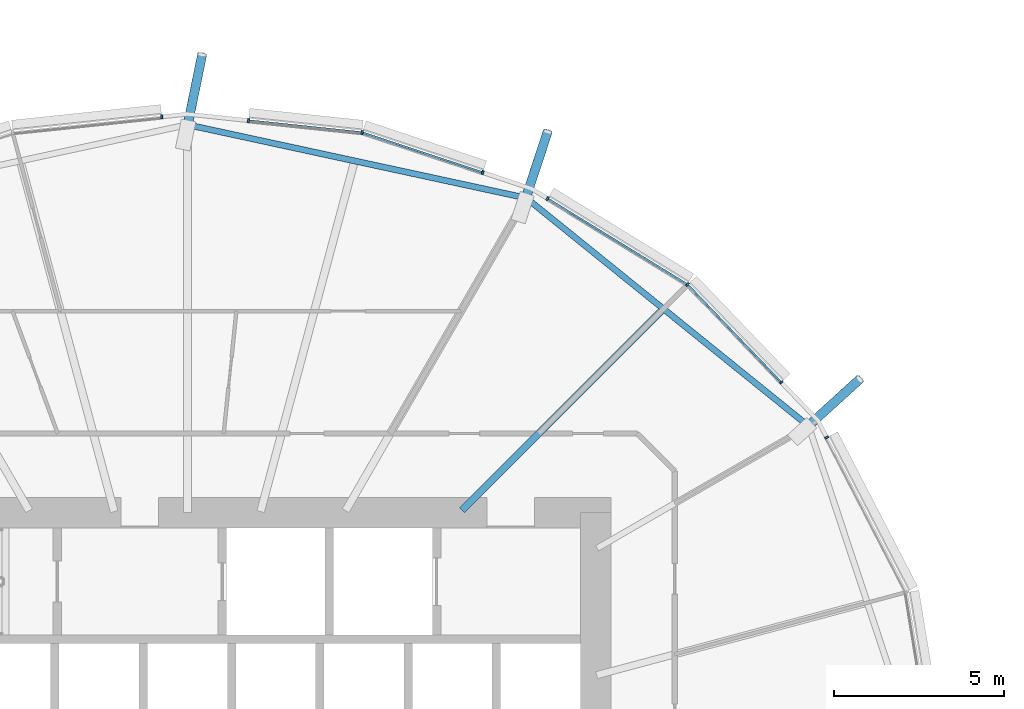
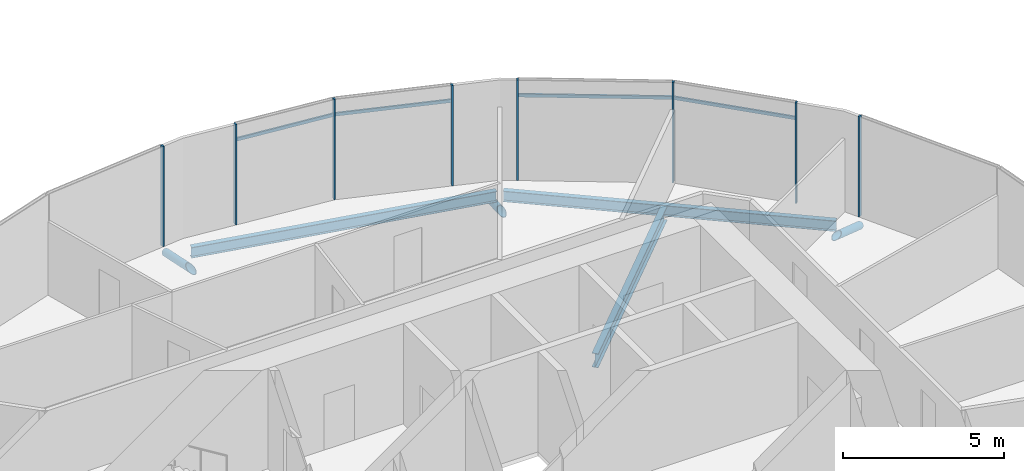
# One storey, part 11 of 36: 15 members, 3 beams, 1 element without a shape of its own.
"""IFC4 building model written with IfcOpenShell, lengths in metres."""

from ifc_helpers import new_model, si_unit, direction, frame, origin, origin_2d, place, context, subcontext, project, spatial, rectangle, hollow_circle, i_section, extrude, clip, halfspace, material, material_profile, profile_set, type_object, element, aggregate, save


model = new_model("IFC4")

# Units and contexts
model_context = context("Model", 3, precision=1e-05, world=origin(), true_north=direction((0.0, 1.0)))
body_context = subcontext(model_context, "Body", "Model", "MODEL_VIEW")
ifc_project = project(units=[si_unit("LENGTHUNIT", "METRE"), si_unit("AREAUNIT", "SQUARE_METRE"), si_unit("VOLUMEUNIT", "CUBIC_METRE"), si_unit("PLANEANGLEUNIT", "RADIAN"), si_unit("MASSUNIT", "GRAM", prefix="KILO")], contexts=[model_context])

# Site, building, storey
site_placement = place(None, origin())
site = spatial("IfcSite", under=ifc_project, at=site_placement, CompositionType="ELEMENT")
building_placement = place(site_placement, origin())
building = spatial("IfcBuilding", under=site, at=building_placement, Name="Rimbun Link Towers", CompositionType="ELEMENT")
storey_placement = place(building_placement, frame((0.0, 0.0, 33.800048828125)))
storey = spatial("IfcBuildingStorey", under=building, at=storey_placement, Name="L07", CompositionType="ELEMENT", Elevation=33.800048828125)

# Curtain wall, members
ifc_material_1 = material(Name="Aluminium 6063-T6 and low-iron glass", Category="aluminium")
curtain_wall_type = type_object("IfcCurtainWallType", Name="CW1 unitised vision wall", PredefinedType="NOTDEFINED", material=ifc_material_1)
curtain_wall_placement = place(storey_placement, origin())
curtain_wall = element("IfcCurtainWall", 1, at=curtain_wall_placement, inside=storey, type_object=curtain_wall_type, Name="CW1 L07 T1", PredefinedType="NOTDEFINED")
ifc_material_2 = material(Name="Aluminium 6063-T6", Category="aluminium")
ifc_material_profile_1 = material_profile(ifc_material_2, rectangle(XDim=0.1201171875, YDim=0.06005859375, at=origin_2d()), Name="MULLION 60X120")
ifc_profile_set_1 = profile_set([ifc_material_profile_1], Name="Aluminium 6063-T6")
member_type_1 = type_object("IfcMemberType", Name="CW1 mullion 60X120", PredefinedType="MULLION", material=ifc_profile_set_1)
member_1_placement = place(storey_placement, frame((-12.959228515625, 10.211181640625, 0.0), z_axis=(0.0, 0.0, 1.0), x_axis=(0.888152693678, 0.459548466118, 0.0)))
member_1 = element("IfcMember", 2, at=member_1_placement, type_object=member_type_1, Name="CW1 mullion", PredefinedType="MULLION", context=body_context, shape_type="SweptSolid", body=[
    extrude(rectangle(XDim=0.1201171875, YDim=0.06005859375, at=origin_2d()), origin(), (0.0, 0.0, 1.0), 3.800048828125),
])
member_2_placement = place(storey_placement, frame((-17.051513671875, 14.70751953125, 0.0), z_axis=(0.0, 0.0, 1.0), x_axis=(0.627666129139, 0.778482646134, 0.0)))
member_2 = element("IfcMember", 3, at=member_2_placement, type_object=member_type_1, Name="CW1 mullion", PredefinedType="MULLION", context=body_context, shape_type="SweptSolid", body=[
    extrude(rectangle(XDim=0.1201171875, YDim=0.06005859375, at=origin_2d()), origin(), (0.0, 0.0, 1.0), 3.800048828125),
])
member_3_placement = place(storey_placement, frame((-14.294677734375, 11.83251953125, 0.0), z_axis=(0.0, 0.0, 1.0), x_axis=(0.721844292424, 0.692055501744, 0.0)))
member_3 = element("IfcMember", 4, at=member_3_placement, type_object=member_type_1, Name="CW1 mullion", PredefinedType="MULLION", context=body_context, shape_type="SweptSolid", body=[
    extrude(rectangle(XDim=0.1201171875, YDim=0.06005859375, at=origin_2d()), origin(), (0.0, 0.0, 1.0), 3.800048828125),
])
member_4_placement = place(storey_placement, frame((-21.163818359375, 17.23291015625, 0.0), z_axis=(0.0, 0.0, 1.0), x_axis=(0.523232417417, 0.85219002421, 0.0)))
member_4 = element("IfcMember", 5, at=member_4_placement, type_object=member_type_1, Name="CW1 mullion", PredefinedType="MULLION", context=body_context, shape_type="SweptSolid", body=[
    extrude(rectangle(XDim=0.1201171875, YDim=0.06005859375, at=origin_2d()), origin(), (0.0, 0.0, 1.0), 3.800048828125),
])
member_5_placement = place(storey_placement, frame((-26.615478515625, 19.17333984375, 0.0), z_axis=(0.0, 0.0, 1.0), x_axis=(0.210876994137, 0.97751260521, 0.0)))
member_5 = element("IfcMember", 6, at=member_5_placement, type_object=member_type_1, Name="CW1 mullion", PredefinedType="MULLION", context=body_context, shape_type="SweptSolid", body=[
    extrude(rectangle(XDim=0.1201171875, YDim=0.06005859375, at=origin_2d()), origin(), (0.0, 0.0, 1.0), 3.800048828125),
])
member_6_placement = place(storey_placement, frame((-23.06884765625, 17.998291015625, 0.0), z_axis=(0.0, 0.0, 1.0), x_axis=(0.314563730837, 0.949236355837, 0.0)))
member_6 = element("IfcMember", 7, at=member_6_placement, type_object=member_type_1, Name="CW1 mullion", PredefinedType="MULLION", context=body_context, shape_type="SweptSolid", body=[
    extrude(rectangle(XDim=0.1201171875, YDim=0.06005859375, at=origin_2d()), origin(), (0.0, 0.0, 1.0), 3.800048828125),
])
member_7_placement = place(storey_placement, frame((-29.95361328125, 19.525390625, 0.0), z_axis=(0.0, 0.0, 1.0), x_axis=(0.104754525743, 0.994498109267, 0.0)))
member_7 = element("IfcMember", 8, at=member_7_placement, type_object=member_type_1, Name="CW1 mullion", PredefinedType="MULLION", context=body_context, shape_type="SweptSolid", body=[
    extrude(rectangle(XDim=0.1201171875, YDim=0.06005859375, at=origin_2d()), origin(), (0.0, 0.0, 1.0), 3.800048828125),
])
member_8_placement = place(storey_placement, frame((-32.502197265625, 19.63525390625, 0.0), z_axis=(0.0, 0.0, 1.0), x_axis=(-0.104754525743, 0.994498109267, 0.0)))
member_8 = element("IfcMember", 9, at=member_8_placement, type_object=member_type_1, Name="CW1 mullion", PredefinedType="MULLION", context=body_context, shape_type="SweptSolid", body=[
    extrude(rectangle(XDim=0.1201171875, YDim=0.06005859375, at=origin_2d()), origin(), (0.0, 0.0, 1.0), 3.800048828125),
])
ifc_material_3 = material(Name="Aluminium 6063-T6", Category="aluminium")
ifc_material_profile_2 = material_profile(ifc_material_3, rectangle(XDim=0.06005859375, YDim=0.1201171875, at=origin_2d()), Name="TRANSOM 60X120")
ifc_profile_set_2 = profile_set([ifc_material_profile_2], Name="Aluminium 6063-T6")
member_type_2 = type_object("IfcMemberType", Name="CW1 transom 60X120", PredefinedType="USERDEFINED", material=ifc_profile_set_2)
member_9_placement = place(storey_placement, frame((-17.026611328125, 14.67919921875, 3.199951171875), z_axis=(0.692047546787, -0.721851919015, 0.0), x_axis=(0.721851919015, 0.692047546787, 0.0)))
member_9 = element("IfcMember", 10, at=member_9_placement, type_object=member_type_2, Name="CW1 transom", ObjectType="TRANSOM", PredefinedType="USERDEFINED", context=body_context, shape_type="SweptSolid", body=[
    extrude(rectangle(XDim=0.06005859375, YDim=0.1201171875, at=origin_2d()), origin(), (0.0, 0.0, 1.0), 3.91552734375),
])
member_10_placement = place(storey_placement, frame((-21.139404296875, 17.215576171875, 3.199951171875), z_axis=(0.85218286568, -0.523244076356, 0.0), x_axis=(0.523244076356, 0.85218286568, 0.0)))
member_10 = element("IfcMember", 11, at=member_10_placement, type_object=member_type_2, Name="CW1 transom", ObjectType="TRANSOM", PredefinedType="USERDEFINED", context=body_context, shape_type="SweptSolid", body=[
    extrude(rectangle(XDim=0.06005859375, YDim=0.1201171875, at=origin_2d()), origin(), (0.0, 0.0, 1.0), 4.75830078125),
])
member_11_placement = place(storey_placement, frame((-26.58154296875, 19.160400390625, 3.199951171875), z_axis=(0.949227381323, -0.314590811288, 0.0), x_axis=(0.314590811288, 0.949227381323, 0.0)))
member_11 = element("IfcMember", 12, at=member_11_placement, type_object=member_type_2, Name="CW1 transom", ObjectType="TRANSOM", PredefinedType="USERDEFINED", context=body_context, shape_type="SweptSolid", body=[
    extrude(rectangle(XDim=0.06005859375, YDim=0.1201171875, at=origin_2d()), origin(), (0.0, 0.0, 1.0), 3.669921875),
])
member_12_placement = place(storey_placement, frame((-29.924072265625, 19.520263671875, 3.199951171875), z_axis=(0.994496504688, -0.104769757862, 0.0), x_axis=(0.104769757862, 0.994496504688, 0.0)))
member_12 = element("IfcMember", 13, at=member_12_placement, type_object=member_type_2, Name="CW1 transom", ObjectType="TRANSOM", PredefinedType="USERDEFINED", context=body_context, shape_type="SweptSolid", body=[
    extrude(rectangle(XDim=0.06005859375, YDim=0.1201171875, at=origin_2d()), origin(), (0.0, 0.0, 1.0), 3.290283203125),
])
aggregate(curtain_wall, [member_1, member_2, member_3, member_4, member_5, member_6, member_7, member_8, member_9, member_10, member_11, member_12])

# Members
ifc_material_4 = material(Name="Steel S355J2H", Category="steel")
ifc_material_profile_3 = material_profile(ifc_material_4, hollow_circle(Radius=0.136474609375, WallThickness=0.012451171875, at=origin_2d()), Name="CHS 273x12.5")
ifc_profile_set_3 = profile_set([ifc_material_profile_3], Name="Steel S355J2H")
member_type_3 = type_object("IfcMemberType", Name="Floor edge link CHS 273x12.5", PredefinedType="BRACE", material=ifc_profile_set_3)
member_13_placement = place(storey_placement, frame((-13.531494140625, 10.5185546875, -0.68798828125), z_axis=(0.660195703529, 0.601747375649, -0.449490521527), x_axis=(-0.673634179284, 0.739064944711, 0.0)))
element("IfcMember", 14, at=member_13_placement, inside=storey, type_object=member_type_3, Name="Floor edge link T1 L07 02", PredefinedType="BRACE", context=body_context, shape_type="Clipping", body=[
    clip(extrude(hollow_circle(Radius=0.136474609375, WallThickness=0.012451171875, at=origin_2d()), frame((0.0, 0.0, -0.56494140625)), (0.0, 0.0, 1.0), 2.912353515625), halfspace(frame((0.0, 0.0, -0.265869140625), z_axis=(0.0, 0.893285100658, -0.449490521527)), False)),
])
member_14_placement = place(storey_placement, frame((-21.816650390625, 17.205078125, -0.88818359375), z_axis=(0.287962333426, 0.875503541487, -0.388035105849), x_axis=(-0.949936176822, 0.312444010928, 0.0)))
element("IfcMember", 15, at=member_14_placement, inside=storey, type_object=member_type_3, Name="Floor edge link T1 L07 04", PredefinedType="BRACE", context=body_context, shape_type="Clipping", body=[
    clip(extrude(hollow_circle(Radius=0.136474609375, WallThickness=0.012451171875, at=origin_2d()), frame((0.0, 0.0, -0.674072265625)), (0.0, 0.0, 1.0), 2.96484375), halfspace(frame((0.0, 0.0, -0.318359375), z_axis=(0.0, 0.921644593446, -0.388035105849)), False)),
])
member_15_placement = place(storey_placement, frame((-31.75, 19.352783203125, -0.888427734375), z_axis=(0.185831038689, 0.904988825185, -0.382703607704), x_axis=(-0.979561706575, 0.201143886341, 0.0)))
element("IfcMember", 16, at=member_15_placement, inside=storey, type_object=member_type_3, Name="Floor edge link T1 L07 06", PredefinedType="BRACE", context=body_context, shape_type="Clipping", body=[
    clip(extrude(hollow_circle(Radius=0.136474609375, WallThickness=0.012451171875, at=origin_2d()), frame((0.0, 0.0, -0.685302734375)), (0.0, 0.0, 1.0), 3.029052734375), halfspace(frame((0.0, 0.0, -0.323486328125), z_axis=(0.0, 0.923871175354, -0.382703607704)), False)),
])

# Beams
ifc_material_5 = material(Name="Steel S355J2", Category="steel")
ifc_material_profile_4 = material_profile(ifc_material_5, i_section(OverallWidth=0.177978515625, OverallDepth=0.406494140625, WebThickness=0.0078125, FlangeThickness=0.0126953125, at=origin_2d()), Name="UB 406x178x60")
ifc_profile_set_4 = profile_set([ifc_material_profile_4], Name="Steel S355J2")
beam_type_1 = type_object("IfcBeamType", Name="UB 406x178x60", PredefinedType="BEAM", material=ifc_profile_set_4)
beam_1_placement = place(storey_placement, frame((-13.56298828125, 10.60400390625, -0.36328125), z_axis=(-0.778016648359, 0.628243658843, 0.0), x_axis=(-0.628243658843, -0.778016648359, 0.0)))
element("IfcBeam", 17, at=beam_1_placement, inside=storey, type_object=beam_type_1, Name="Edge beam T1 L07 02-04", PredefinedType="BEAM", context=body_context, shape_type="SweptSolid", body=[
    extrude(i_section(OverallWidth=0.177978515625, OverallDepth=0.406494140625, WebThickness=0.0078125, FlangeThickness=0.0126953125, at=origin_2d()), origin(), (0.0, 0.0, 1.0), 10.460205078125),
])
beam_2_placement = place(storey_placement, frame((-21.9091796875, 17.27392578125, -0.36328125), z_axis=(-0.977391971445, 0.211435413673, 0.0), x_axis=(-0.211435413673, -0.977391971445, 0.0)))
element("IfcBeam", 18, at=beam_2_placement, inside=storey, type_object=beam_type_1, Name="Edge beam T1 L07 04-06", PredefinedType="BEAM", context=body_context, shape_type="SweptSolid", body=[
    extrude(i_section(OverallWidth=0.177978515625, OverallDepth=0.406494140625, WebThickness=0.0078125, FlangeThickness=0.0126953125, at=origin_2d()), origin(), (0.0, 0.0, 1.0), 9.950927734375),
])
ifc_material_6 = material(Name="Steel S355J2", Category="steel")
ifc_material_profile_5 = material_profile(ifc_material_6, i_section(OverallWidth=0.209228515625, OverallDepth=0.533203125, WebThickness=0.010009765625, FlangeThickness=0.015625, at=origin_2d()), Name="UB 533x210x92")
ifc_profile_set_5 = profile_set([ifc_material_profile_5], Name="Steel S355J2")
beam_type_2 = type_object("IfcBeamType", Name="UB 533x210x92", PredefinedType="BEAM", material=ifc_profile_set_5)
beam_3_placement = place(storey_placement, frame((-23.67529296875, 8.07470703125, -0.4267578125), z_axis=(0.707106781187, 0.707106781187, 0.0), x_axis=(-0.707106781187, 0.707106781187, 0.0)))
element("IfcBeam", 19, at=beam_3_placement, inside=storey, type_object=beam_type_2, Name="Radial beam T1 L07 03", PredefinedType="BEAM", context=body_context, shape_type="SweptSolid", body=[
    extrude(i_section(OverallWidth=0.209228515625, OverallDepth=0.533203125, WebThickness=0.010009765625, FlangeThickness=0.015625, at=origin_2d()), origin(), (0.0, 0.0, 1.0), 8.27734375),
])

save(model, "model.ifc")
